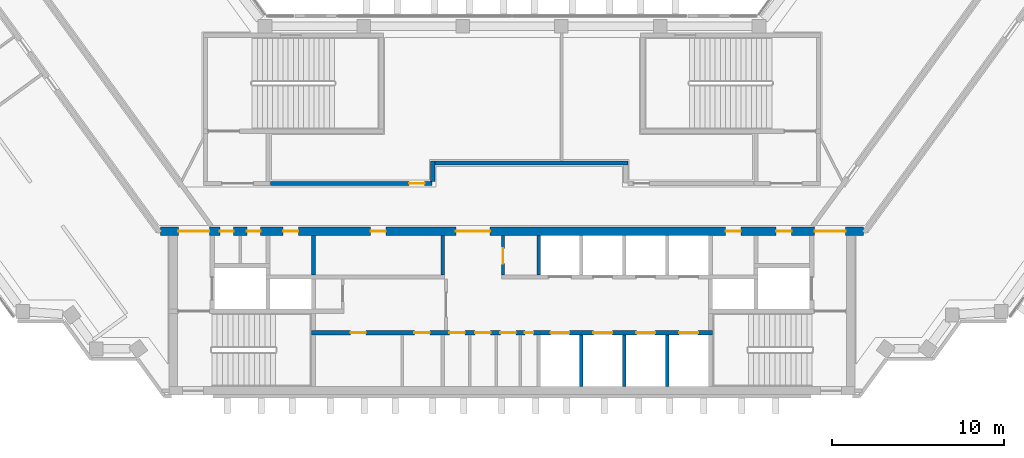
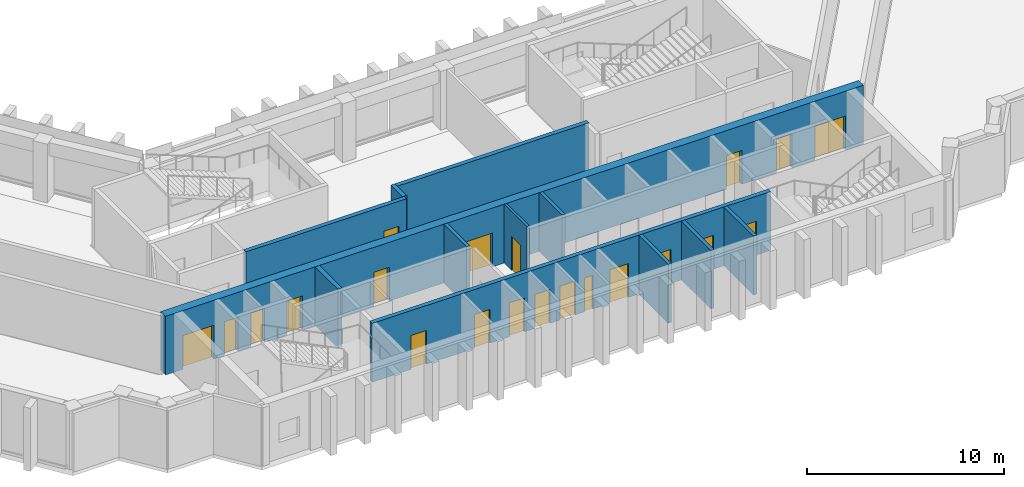
# One storey, part 5 of 10: 21 doors, 12 walls, 21 openings.
"""IFC4 building model written with IfcOpenShell, lengths in metres."""

from ifc_helpers import new_model, si_unit, direction, frame, frame_2d, origin, place, context, subcontext, project, spatial, rectangle, extrude, material, layer, layer_set, type_object, element, fill, save


model = new_model("IFC4")

# Units and contexts
model_context = context("Model", 3, precision=1e-05, world=origin(), true_north=direction((0.0, 1.0)))
body_context = subcontext(model_context, "Body", "Model", "MODEL_VIEW")
ifc_project = project(units=[si_unit("LENGTHUNIT", "METRE"), si_unit("AREAUNIT", "SQUARE_METRE"), si_unit("VOLUMEUNIT", "CUBIC_METRE"), si_unit("PLANEANGLEUNIT", "RADIAN"), si_unit("MASSUNIT", "GRAM", prefix="KILO")], contexts=[model_context])

# Site, building, storey
site_placement = place(None, origin())
site = spatial("IfcSite", under=ifc_project, at=site_placement, CompositionType="ELEMENT")
building_placement = place(site_placement, origin())
building = spatial("IfcBuilding", under=site, at=building_placement, Name="Quipu Civic Tower", CompositionType="ELEMENT")
storey_placement = place(building_placement, frame((0.0, 0.0, 168.0)))
storey = spatial("IfcBuildingStorey", under=building, at=storey_placement, Name="L39", CompositionType="ELEMENT", Elevation=168.0)

# Wall, openings, doors
ifc_material_1 = material(Name="Concrete C70/85", Category="concrete")
ifc_layer_1 = layer(ifc_material_1, 0.25)
ifc_layer_set_1 = layer_set([ifc_layer_1], Name="Concrete C70/85")
wall_type_1 = type_object("IfcWallType", Name="Core wall 250", PredefinedType="SHEAR", material=ifc_layer_set_1)
wall_1_placement = place(storey_placement, frame((11.699951171875, -7.375, 0.0), z_axis=(0.0, 0.0, 1.0), x_axis=(-1.0, 0.0, 0.0)))
wall_1 = element("IfcWall", 1, at=wall_1_placement, inside=storey, type_object=wall_type_1, Name="Core wall", PredefinedType="SHEAR", context=body_context, shape_type="SweptSolid", body=[
    extrude(rectangle(XDim=23.39990234375, YDim=0.25, at=frame_2d((11.699951171875, 0.0))), origin(), (0.0, 0.0, 1.0), 3.64990234375),
])
opening_1_placement = place(wall_1_placement, frame((20.212890625, 0.0, 0.0)))
opening_1 = element("IfcOpeningElement", 2, at=opening_1_placement, cuts=wall_1, Name="Opening CD-01", PredefinedType="OPENING", context=body_context, shape_type="SweptSolid", body=[
    extrude(rectangle(XDim=0.89990234375, YDim=2.10009765625, at=frame_2d((0.449951171875, 1.050048828125))), frame((0.0, 0.135009765625, 0.0), z_axis=(0.0, -1.0, 0.0), x_axis=(1.0, 0.0, 0.0)), (0.0, 0.0, 1.0), 0.27001953125),
])
opening_2_placement = place(wall_1_placement, frame((16.488037109375, 0.0, 0.0)))
opening_2 = element("IfcOpeningElement", 3, at=opening_2_placement, cuts=wall_1, Name="Opening CD-02", PredefinedType="OPENING", context=body_context, shape_type="SweptSolid", body=[
    extrude(rectangle(XDim=0.89990234375, YDim=2.10009765625, at=frame_2d((0.449951171875, 1.050048828125))), frame((0.0, 0.135009765625, 0.0), z_axis=(0.0, -1.0, 0.0), x_axis=(1.0, 0.0, 0.0)), (0.0, 0.0, 1.0), 0.27001953125),
])
opening_3_placement = place(wall_1_placement, frame((14.449951171875, 0.0, 0.0)))
opening_3 = element("IfcOpeningElement", 4, at=opening_3_placement, cuts=wall_1, Name="Opening CD-03", PredefinedType="OPENING", context=body_context, shape_type="SweptSolid", body=[
    extrude(rectangle(XDim=0.89990234375, YDim=2.10009765625, at=frame_2d((0.449951171875, 1.050048828125))), frame((0.0, 0.135009765625, 0.0), z_axis=(0.0, -1.0, 0.0), x_axis=(1.0, 0.0, 0.0)), (0.0, 0.0, 1.0), 0.27001953125),
])
opening_4_placement = place(wall_1_placement, frame((12.949951171875, 0.0, 0.0)))
opening_4 = element("IfcOpeningElement", 5, at=opening_4_placement, cuts=wall_1, Name="Opening CD-04", PredefinedType="OPENING", context=body_context, shape_type="SweptSolid", body=[
    extrude(rectangle(XDim=0.89990234375, YDim=2.10009765625, at=frame_2d((0.449951171875, 1.050048828125))), frame((0.0, 0.135009765625, 0.0), z_axis=(0.0, -1.0, 0.0), x_axis=(1.0, 0.0, 0.0)), (0.0, 0.0, 1.0), 0.27001953125),
])
opening_5_placement = place(wall_1_placement, frame((11.47509765625, 0.0, 0.0)))
opening_5 = element("IfcOpeningElement", 6, at=opening_5_placement, cuts=wall_1, Name="Opening CD-05", PredefinedType="OPENING", context=body_context, shape_type="SweptSolid", body=[
    extrude(rectangle(XDim=0.89990234375, YDim=2.10009765625, at=frame_2d((0.449951171875, 1.050048828125))), frame((0.0, 0.135009765625, 0.0), z_axis=(0.0, -1.0, 0.0), x_axis=(1.0, 0.0, 0.0)), (0.0, 0.0, 1.0), 0.27001953125),
])
opening_6_placement = place(wall_1_placement, frame((10.449951171875, 0.0, 0.0)))
opening_6 = element("IfcOpeningElement", 7, at=opening_6_placement, cuts=wall_1, Name="Opening CD-06", PredefinedType="OPENING", context=body_context, shape_type="SweptSolid", body=[
    extrude(rectangle(XDim=0.5, YDim=2.10009765625, at=frame_2d((0.25, 1.050048828125))), frame((0.0, 0.135009765625, 0.0), z_axis=(0.0, -1.0, 0.0), x_axis=(1.0, 0.0, 0.0)), (0.0, 0.0, 1.0), 0.27001953125),
])
opening_7_placement = place(wall_1_placement, frame((8.35009765625, 0.0, 0.0)))
opening_7 = element("IfcOpeningElement", 8, at=opening_7_placement, cuts=wall_1, Name="Opening LD-ML1", PredefinedType="OPENING", context=body_context, shape_type="SweptSolid", body=[
    extrude(rectangle(XDim=1.10009765625, YDim=2.10009765625, at=frame_2d((0.550048828125, 1.050048828125))), frame((0.0, 0.135009765625, 0.0), z_axis=(0.0, -1.0, 0.0), x_axis=(1.0, 0.0, 0.0)), (0.0, 0.0, 1.0), 0.27001953125),
])
opening_8_placement = place(wall_1_placement, frame((5.85009765625, 0.0, 0.0)))
opening_8 = element("IfcOpeningElement", 9, at=opening_8_placement, cuts=wall_1, Name="Opening LD-ML2", PredefinedType="OPENING", context=body_context, shape_type="SweptSolid", body=[
    extrude(rectangle(XDim=1.10009765625, YDim=2.10009765625, at=frame_2d((0.550048828125, 1.050048828125))), frame((0.0, 0.135009765625, 0.0), z_axis=(0.0, -1.0, 0.0), x_axis=(1.0, 0.0, 0.0)), (0.0, 0.0, 1.0), 0.27001953125),
])
opening_9_placement = place(wall_1_placement, frame((3.35009765625, 0.0, 0.0)))
opening_9 = element("IfcOpeningElement", 10, at=opening_9_placement, cuts=wall_1, Name="Opening LD-ML3", PredefinedType="OPENING", context=body_context, shape_type="SweptSolid", body=[
    extrude(rectangle(XDim=1.10009765625, YDim=2.10009765625, at=frame_2d((0.550048828125, 1.050048828125))), frame((0.0, 0.135009765625, 0.0), z_axis=(0.0, -1.0, 0.0), x_axis=(1.0, 0.0, 0.0)), (0.0, 0.0, 1.0), 0.27001953125),
])
opening_10_placement = place(wall_1_placement, frame((0.85009765625, 0.0, 0.0)))
opening_10 = element("IfcOpeningElement", 11, at=opening_10_placement, cuts=wall_1, Name="Opening LD-ML4", PredefinedType="OPENING", context=body_context, shape_type="SweptSolid", body=[
    extrude(rectangle(XDim=1.10009765625, YDim=2.10009765625, at=frame_2d((0.550048828125, 1.050048828125))), frame((0.0, 0.135009765625, 0.0), z_axis=(0.0, -1.0, 0.0), x_axis=(1.0, 0.0, 0.0)), (0.0, 0.0, 1.0), 0.27001953125),
])
ifc_material_2 = material(Name="Fire rated steel door", Category="steel")
door_type_1 = type_object("IfcDoorType", Name="Fire door FD60 500 x 2100", OperationType="NOTDEFINED", PredefinedType="DOOR", material=ifc_material_2)
door_1_placement = place(opening_6_placement, origin())
door_1 = element("IfcDoor", 12, at=door_1_placement, inside=storey, type_object=door_type_1, Name="Door", OperationType="SINGLE_SWING_LEFT", OverallHeight=2.10009765625, OverallWidth=0.5, PredefinedType="DOOR", context=body_context, shape_type="SweptSolid", body=[
    extrude(rectangle(XDim=0.5, YDim=2.10009765625, at=frame_2d((0.25, 1.050048828125))), frame((0.0, 0.02490234375, 0.0), z_axis=(0.0, -1.0, 0.0), x_axis=(1.0, 0.0, 0.0)), (0.0, 0.0, 1.0), 0.050048828125),
])
fill(opening_6, door_1)
ifc_material_3 = material(Name="Fire rated steel door", Category="steel")
door_type_2 = type_object("IfcDoorType", Name="Fire door FD60 900 x 2100", OperationType="NOTDEFINED", PredefinedType="DOOR", material=ifc_material_3)
door_2_placement = place(opening_1_placement, origin())
door_2 = element("IfcDoor", 13, at=door_2_placement, inside=storey, type_object=door_type_2, Name="Door", OperationType="SINGLE_SWING_RIGHT", OverallHeight=2.10009765625, OverallWidth=0.89990234375, PredefinedType="DOOR", context=body_context, shape_type="SweptSolid", body=[
    extrude(rectangle(XDim=0.89990234375, YDim=2.10009765625, at=frame_2d((0.449951171875, 1.050048828125))), frame((0.0, 0.02490234375, 0.0), z_axis=(0.0, -1.0, 0.0), x_axis=(1.0, 0.0, 0.0)), (0.0, 0.0, 1.0), 0.050048828125),
])
fill(opening_1, door_2)
door_3_placement = place(opening_2_placement, origin())
door_3 = element("IfcDoor", 14, at=door_3_placement, inside=storey, type_object=door_type_2, Name="Door", OperationType="SINGLE_SWING_RIGHT", OverallHeight=2.10009765625, OverallWidth=0.89990234375, PredefinedType="DOOR", context=body_context, shape_type="SweptSolid", body=[
    extrude(rectangle(XDim=0.89990234375, YDim=2.10009765625, at=frame_2d((0.449951171875, 1.050048828125))), frame((0.0, 0.02490234375, 0.0), z_axis=(0.0, -1.0, 0.0), x_axis=(1.0, 0.0, 0.0)), (0.0, 0.0, 1.0), 0.050048828125),
])
fill(opening_2, door_3)
door_4_placement = place(opening_3_placement, origin())
door_4 = element("IfcDoor", 15, at=door_4_placement, inside=storey, type_object=door_type_2, Name="WC door", OperationType="SINGLE_SWING_RIGHT", OverallHeight=2.10009765625, OverallWidth=0.89990234375, PredefinedType="DOOR", context=body_context, shape_type="SweptSolid", body=[
    extrude(rectangle(XDim=0.89990234375, YDim=2.10009765625, at=frame_2d((0.449951171875, 1.050048828125))), frame((0.0, 0.02490234375, 0.0), z_axis=(0.0, -1.0, 0.0), x_axis=(1.0, 0.0, 0.0)), (0.0, 0.0, 1.0), 0.050048828125),
])
fill(opening_3, door_4)
door_5_placement = place(opening_4_placement, origin())
door_5 = element("IfcDoor", 16, at=door_5_placement, inside=storey, type_object=door_type_2, Name="WC door", OperationType="SINGLE_SWING_RIGHT", OverallHeight=2.10009765625, OverallWidth=0.89990234375, PredefinedType="DOOR", context=body_context, shape_type="SweptSolid", body=[
    extrude(rectangle(XDim=0.89990234375, YDim=2.10009765625, at=frame_2d((0.449951171875, 1.050048828125))), frame((0.0, 0.02490234375, 0.0), z_axis=(0.0, -1.0, 0.0), x_axis=(1.0, 0.0, 0.0)), (0.0, 0.0, 1.0), 0.050048828125),
])
fill(opening_4, door_5)
door_6_placement = place(opening_5_placement, origin())
door_6 = element("IfcDoor", 17, at=door_6_placement, inside=storey, type_object=door_type_2, Name="WC door", OperationType="SINGLE_SWING_RIGHT", OverallHeight=2.10009765625, OverallWidth=0.89990234375, PredefinedType="DOOR", context=body_context, shape_type="SweptSolid", body=[
    extrude(rectangle(XDim=0.89990234375, YDim=2.10009765625, at=frame_2d((0.449951171875, 1.050048828125))), frame((0.0, 0.02490234375, 0.0), z_axis=(0.0, -1.0, 0.0), x_axis=(1.0, 0.0, 0.0)), (0.0, 0.0, 1.0), 0.050048828125),
])
fill(opening_5, door_6)
ifc_material_4 = material(Name="Stainless steel", Category="steel")
door_type_3 = type_object("IfcDoorType", Name="Lift landing door 1100 x 2100", OperationType="DOUBLE_DOOR_SLIDING", PredefinedType="DOOR", material=ifc_material_4)
door_7_placement = place(opening_7_placement, origin())
door_7 = element("IfcDoor", 18, at=door_7_placement, inside=storey, type_object=door_type_3, Name="Landing door ML1", OperationType="DOUBLE_DOOR_SLIDING", OverallHeight=2.10009765625, OverallWidth=1.10009765625, PredefinedType="DOOR", context=body_context, shape_type="SweptSolid", body=[
    extrude(rectangle(XDim=1.10009765625, YDim=2.10009765625, at=frame_2d((0.550048828125, 1.050048828125))), frame((0.0, 0.02490234375, 0.0), z_axis=(0.0, -1.0, 0.0), x_axis=(1.0, 0.0, 0.0)), (0.0, 0.0, 1.0), 0.050048828125),
])
fill(opening_7, door_7)
door_8_placement = place(opening_8_placement, origin())
door_8 = element("IfcDoor", 19, at=door_8_placement, inside=storey, type_object=door_type_3, Name="Landing door ML2", OperationType="DOUBLE_DOOR_SLIDING", OverallHeight=2.10009765625, OverallWidth=1.10009765625, PredefinedType="DOOR", context=body_context, shape_type="SweptSolid", body=[
    extrude(rectangle(XDim=1.10009765625, YDim=2.10009765625, at=frame_2d((0.550048828125, 1.050048828125))), frame((0.0, 0.02490234375, 0.0), z_axis=(0.0, -1.0, 0.0), x_axis=(1.0, 0.0, 0.0)), (0.0, 0.0, 1.0), 0.050048828125),
])
fill(opening_8, door_8)
door_9_placement = place(opening_9_placement, origin())
door_9 = element("IfcDoor", 20, at=door_9_placement, inside=storey, type_object=door_type_3, Name="Landing door ML3", OperationType="DOUBLE_DOOR_SLIDING", OverallHeight=2.10009765625, OverallWidth=1.10009765625, PredefinedType="DOOR", context=body_context, shape_type="SweptSolid", body=[
    extrude(rectangle(XDim=1.10009765625, YDim=2.10009765625, at=frame_2d((0.550048828125, 1.050048828125))), frame((0.0, 0.02490234375, 0.0), z_axis=(0.0, -1.0, 0.0), x_axis=(1.0, 0.0, 0.0)), (0.0, 0.0, 1.0), 0.050048828125),
])
fill(opening_9, door_9)
door_10_placement = place(opening_10_placement, origin())
door_10 = element("IfcDoor", 21, at=door_10_placement, inside=storey, type_object=door_type_3, Name="Landing door ML4", OperationType="DOUBLE_DOOR_SLIDING", OverallHeight=2.10009765625, OverallWidth=1.10009765625, PredefinedType="DOOR", context=body_context, shape_type="SweptSolid", body=[
    extrude(rectangle(XDim=1.10009765625, YDim=2.10009765625, at=frame_2d((0.550048828125, 1.050048828125))), frame((0.0, 0.02490234375, 0.0), z_axis=(0.0, -1.0, 0.0), x_axis=(1.0, 0.0, 0.0)), (0.0, 0.0, 1.0), 0.050048828125),
])
fill(opening_10, door_10)

# Wall
wall_2_placement = place(storey_placement, frame((-11.574951171875, -4.0, 0.0), z_axis=(0.0, 0.0, 1.0), x_axis=(0.0, 1.0, 0.0)))
element("IfcWall", 22, at=wall_2_placement, inside=storey, type_object=wall_type_1, Name="Core wall", PredefinedType="SHEAR", context=body_context, shape_type="SweptSolid", body=[
    extrude(rectangle(XDim=2.300048828125, YDim=0.25, at=frame_2d((1.14990234375, 0.0))), origin(), (0.0, 0.0, 1.0), 3.64990234375),
])

# Wall, openings, doors
ifc_material_5 = material(Name="Concrete C70/85", Category="concrete")
ifc_layer_2 = layer(ifc_material_5, 0.5)
ifc_layer_set_2 = layer_set([ifc_layer_2], Name="Concrete C70/85")
wall_type_2 = type_object("IfcWallType", Name="Core wall 500", PredefinedType="SHEAR", material=ifc_layer_set_2)
wall_3_placement = place(storey_placement, frame((20.489990234375, -1.449951171875, 0.0), z_axis=(0.0, 0.0, 1.0), x_axis=(-1.0, 0.0, 0.0)))
wall_3 = element("IfcWall", 23, at=wall_3_placement, inside=storey, type_object=wall_type_2, Name="Core wall", PredefinedType="SHEAR", context=body_context, shape_type="SweptSolid", body=[
    extrude(rectangle(XDim=40.97998046875, YDim=0.5, at=frame_2d((20.489990234375, 0.0))), origin(), (0.0, 0.0, 1.0), 3.64990234375),
])
opening_11_placement = place(wall_3_placement, frame((38.139892578125, 0.0, 0.0)))
opening_11 = element("IfcOpeningElement", 24, at=opening_11_placement, cuts=wall_3, Name="Opening CD-12", PredefinedType="OPENING", context=body_context, shape_type="SweptSolid", body=[
    extrude(rectangle(XDim=1.800048828125, YDim=2.10009765625, at=frame_2d((0.89990234375, 1.050048828125))), frame((0.0, 0.260009765625, 0.0), z_axis=(0.0, -1.0, 0.0), x_axis=(1.0, 0.0, 0.0)), (0.0, 0.0, 1.0), 0.52001953125),
])
opening_12_placement = place(wall_3_placement, frame((36.7275390625, 0.0, 0.0)))
opening_12 = element("IfcOpeningElement", 25, at=opening_12_placement, cuts=wall_3, Name="Opening CD-13", PredefinedType="OPENING", context=body_context, shape_type="SweptSolid", body=[
    extrude(rectangle(XDim=0.800048828125, YDim=2.10009765625, at=frame_2d((0.39990234375, 1.050048828125))), frame((0.0, 0.260009765625, 0.0), z_axis=(0.0, -1.0, 0.0), x_axis=(1.0, 0.0, 0.0)), (0.0, 0.0, 1.0), 0.52001953125),
])
opening_13_placement = place(wall_3_placement, frame((35.152587890625, 0.0, 0.0)))
opening_13 = element("IfcOpeningElement", 26, at=opening_13_placement, cuts=wall_3, Name="Opening CD-14", PredefinedType="OPENING", context=body_context, shape_type="SweptSolid", body=[
    extrude(rectangle(XDim=0.800048828125, YDim=2.10009765625, at=frame_2d((0.39990234375, 1.050048828125))), frame((0.0, 0.260009765625, 0.0), z_axis=(0.0, -1.0, 0.0), x_axis=(1.0, 0.0, 0.0)), (0.0, 0.0, 1.0), 0.52001953125),
])
opening_14_placement = place(wall_3_placement, frame((32.93994140625, 0.0, 0.0)))
opening_14 = element("IfcOpeningElement", 27, at=opening_14_placement, cuts=wall_3, Name="Opening CD-15", PredefinedType="OPENING", context=body_context, shape_type="SweptSolid", body=[
    extrude(rectangle(XDim=0.89990234375, YDim=2.10009765625, at=frame_2d((0.449951171875, 1.050048828125))), frame((0.0, 0.260009765625, 0.0), z_axis=(0.0, -1.0, 0.0), x_axis=(1.0, 0.0, 0.0)), (0.0, 0.0, 1.0), 0.52001953125),
])
opening_15_placement = place(wall_3_placement, frame((27.840087890625, 0.0, 0.0)))
opening_15 = element("IfcOpeningElement", 28, at=opening_15_placement, cuts=wall_3, Name="Opening CD-16", PredefinedType="OPENING", context=body_context, shape_type="SweptSolid", body=[
    extrude(rectangle(XDim=0.89990234375, YDim=2.10009765625, at=frame_2d((0.449951171875, 1.050048828125))), frame((0.0, 0.260009765625, 0.0), z_axis=(0.0, -1.0, 0.0), x_axis=(1.0, 0.0, 0.0)), (0.0, 0.0, 1.0), 0.52001953125),
])
opening_16_placement = place(wall_3_placement, frame((21.764892578125, 0.0, 0.0)))
opening_16 = element("IfcOpeningElement", 29, at=opening_16_placement, cuts=wall_3, Name="Opening CD-17", PredefinedType="OPENING", context=body_context, shape_type="SweptSolid", body=[
    extrude(rectangle(XDim=2.0, YDim=2.10009765625, at=frame_2d((1.0, 1.050048828125))), frame((0.0, 0.260009765625, 0.0), z_axis=(0.0, -1.0, 0.0), x_axis=(1.0, 0.0, 0.0)), (0.0, 0.0, 1.0), 0.52001953125),
])
opening_17_placement = place(wall_3_placement, frame((7.139892578125, 0.0, 0.0)))
opening_17 = element("IfcOpeningElement", 30, at=opening_17_placement, cuts=wall_3, Name="Opening CD-18", PredefinedType="OPENING", context=body_context, shape_type="SweptSolid", body=[
    extrude(rectangle(XDim=0.89990234375, YDim=2.10009765625, at=frame_2d((0.449951171875, 1.050048828125))), frame((0.0, 0.260009765625, 0.0), z_axis=(0.0, -1.0, 0.0), x_axis=(1.0, 0.0, 0.0)), (0.0, 0.0, 1.0), 0.52001953125),
])
opening_18_placement = place(wall_3_placement, frame((4.18994140625, 0.0, 0.0)))
opening_18 = element("IfcOpeningElement", 31, at=opening_18_placement, cuts=wall_3, Name="Opening CD-19", PredefinedType="OPENING", context=body_context, shape_type="SweptSolid", body=[
    extrude(rectangle(XDim=0.89990234375, YDim=2.10009765625, at=frame_2d((0.449951171875, 1.050048828125))), frame((0.0, 0.260009765625, 0.0), z_axis=(0.0, -1.0, 0.0), x_axis=(1.0, 0.0, 0.0)), (0.0, 0.0, 1.0), 0.52001953125),
])
opening_19_placement = place(wall_3_placement, frame((1.0400390625, 0.0, 0.0)))
opening_19 = element("IfcOpeningElement", 32, at=opening_19_placement, cuts=wall_3, Name="Opening CD-20", PredefinedType="OPENING", context=body_context, shape_type="SweptSolid", body=[
    extrude(rectangle(XDim=1.800048828125, YDim=2.10009765625, at=frame_2d((0.89990234375, 1.050048828125))), frame((0.0, 0.260009765625, 0.0), z_axis=(0.0, -1.0, 0.0), x_axis=(1.0, 0.0, 0.0)), (0.0, 0.0, 1.0), 0.52001953125),
])
ifc_material_6 = material(Name="Fire rated steel door", Category="steel")
door_type_4 = type_object("IfcDoorType", Name="Fire door FD60 800 x 2100", OperationType="NOTDEFINED", PredefinedType="DOOR", material=ifc_material_6)
door_11_placement = place(opening_12_placement, origin())
door_11 = element("IfcDoor", 33, at=door_11_placement, inside=storey, type_object=door_type_4, Name="Door", OperationType="SINGLE_SWING_RIGHT", OverallHeight=2.10009765625, OverallWidth=0.800048828125, PredefinedType="DOOR", context=body_context, shape_type="SweptSolid", body=[
    extrude(rectangle(XDim=0.800048828125, YDim=2.10009765625, at=frame_2d((0.39990234375, 1.050048828125))), frame((0.0, 0.02490234375, 0.0), z_axis=(0.0, -1.0, 0.0), x_axis=(1.0, 0.0, 0.0)), (0.0, 0.0, 1.0), 0.050048828125),
])
fill(opening_12, door_11)
door_12_placement = place(opening_13_placement, origin())
door_12 = element("IfcDoor", 34, at=door_12_placement, inside=storey, type_object=door_type_4, Name="Door", OperationType="SINGLE_SWING_RIGHT", OverallHeight=2.10009765625, OverallWidth=0.800048828125, PredefinedType="DOOR", context=body_context, shape_type="SweptSolid", body=[
    extrude(rectangle(XDim=0.800048828125, YDim=2.10009765625, at=frame_2d((0.39990234375, 1.050048828125))), frame((0.0, 0.02490234375, 0.0), z_axis=(0.0, -1.0, 0.0), x_axis=(1.0, 0.0, 0.0)), (0.0, 0.0, 1.0), 0.050048828125),
])
fill(opening_13, door_12)
door_13_placement = place(opening_14_placement, origin())
door_13 = element("IfcDoor", 35, at=door_13_placement, inside=storey, type_object=door_type_2, Name="Riser door", OperationType="SINGLE_SWING_RIGHT", OverallHeight=2.10009765625, OverallWidth=0.89990234375, PredefinedType="DOOR", context=body_context, shape_type="SweptSolid", body=[
    extrude(rectangle(XDim=0.89990234375, YDim=2.10009765625, at=frame_2d((0.449951171875, 1.050048828125))), frame((0.0, 0.02490234375, 0.0), z_axis=(0.0, -1.0, 0.0), x_axis=(1.0, 0.0, 0.0)), (0.0, 0.0, 1.0), 0.050048828125),
])
fill(opening_14, door_13)
door_14_placement = place(opening_15_placement, origin())
door_14 = element("IfcDoor", 36, at=door_14_placement, inside=storey, type_object=door_type_2, Name="Door", OperationType="SINGLE_SWING_RIGHT", OverallHeight=2.10009765625, OverallWidth=0.89990234375, PredefinedType="DOOR", context=body_context, shape_type="SweptSolid", body=[
    extrude(rectangle(XDim=0.89990234375, YDim=2.10009765625, at=frame_2d((0.449951171875, 1.050048828125))), frame((0.0, 0.02490234375, 0.0), z_axis=(0.0, -1.0, 0.0), x_axis=(1.0, 0.0, 0.0)), (0.0, 0.0, 1.0), 0.050048828125),
])
fill(opening_15, door_14)
door_15_placement = place(opening_17_placement, origin())
door_15 = element("IfcDoor", 37, at=door_15_placement, inside=storey, type_object=door_type_2, Name="Riser door", OperationType="SINGLE_SWING_LEFT", OverallHeight=2.10009765625, OverallWidth=0.89990234375, PredefinedType="DOOR", context=body_context, shape_type="SweptSolid", body=[
    extrude(rectangle(XDim=0.89990234375, YDim=2.10009765625, at=frame_2d((0.449951171875, 1.050048828125))), frame((0.0, 0.02490234375, 0.0), z_axis=(0.0, -1.0, 0.0), x_axis=(1.0, 0.0, 0.0)), (0.0, 0.0, 1.0), 0.050048828125),
])
fill(opening_17, door_15)
door_16_placement = place(opening_18_placement, origin())
door_16 = element("IfcDoor", 38, at=door_16_placement, inside=storey, type_object=door_type_2, Name="Door", OperationType="SINGLE_SWING_LEFT", OverallHeight=2.10009765625, OverallWidth=0.89990234375, PredefinedType="DOOR", context=body_context, shape_type="SweptSolid", body=[
    extrude(rectangle(XDim=0.89990234375, YDim=2.10009765625, at=frame_2d((0.449951171875, 1.050048828125))), frame((0.0, 0.02490234375, 0.0), z_axis=(0.0, -1.0, 0.0), x_axis=(1.0, 0.0, 0.0)), (0.0, 0.0, 1.0), 0.050048828125),
])
fill(opening_18, door_16)
ifc_material_7 = material(Name="Fire rated steel door", Category="steel")
door_type_5 = type_object("IfcDoorType", Name="Fire door FD90 double 1800 x 2100", OperationType="NOTDEFINED", PredefinedType="DOOR", material=ifc_material_7)
door_17_placement = place(opening_11_placement, origin())
door_17 = element("IfcDoor", 39, at=door_17_placement, inside=storey, type_object=door_type_5, Name="Lobby door", OperationType="DOUBLE_DOOR_SINGLE_SWING", OverallHeight=2.10009765625, OverallWidth=1.800048828125, PredefinedType="DOOR", context=body_context, shape_type="SweptSolid", body=[
    extrude(rectangle(XDim=1.800048828125, YDim=2.10009765625, at=frame_2d((0.89990234375, 1.050048828125))), frame((0.0, 0.02490234375, 0.0), z_axis=(0.0, -1.0, 0.0), x_axis=(1.0, 0.0, 0.0)), (0.0, 0.0, 1.0), 0.050048828125),
])
fill(opening_11, door_17)
door_18_placement = place(opening_19_placement, origin())
door_18 = element("IfcDoor", 40, at=door_18_placement, inside=storey, type_object=door_type_5, Name="Lobby door", OperationType="DOUBLE_DOOR_SINGLE_SWING", OverallHeight=2.10009765625, OverallWidth=1.800048828125, PredefinedType="DOOR", context=body_context, shape_type="SweptSolid", body=[
    extrude(rectangle(XDim=1.800048828125, YDim=2.10009765625, at=frame_2d((0.89990234375, 1.050048828125))), frame((0.0, 0.02490234375, 0.0), z_axis=(0.0, -1.0, 0.0), x_axis=(1.0, 0.0, 0.0)), (0.0, 0.0, 1.0), 0.050048828125),
])
fill(opening_19, door_18)
ifc_material_8 = material(Name="Fire rated steel door", Category="steel")
door_type_6 = type_object("IfcDoorType", Name="Fire door FD90 double 2000 x 2100", OperationType="NOTDEFINED", PredefinedType="DOOR", material=ifc_material_8)
door_19_placement = place(opening_16_placement, origin())
door_19 = element("IfcDoor", 41, at=door_19_placement, inside=storey, type_object=door_type_6, Name="Lobby door", OperationType="DOUBLE_DOOR_SINGLE_SWING", OverallHeight=2.10009765625, OverallWidth=2.0, PredefinedType="DOOR", context=body_context, shape_type="SweptSolid", body=[
    extrude(rectangle(XDim=2.0, YDim=2.10009765625, at=frame_2d((1.0, 1.050048828125))), frame((0.0, 0.02490234375, 0.0), z_axis=(0.0, -1.0, 0.0), x_axis=(1.0, 0.0, 0.0)), (0.0, 0.0, 1.0), 0.050048828125),
])
fill(opening_16, door_19)

# Wall, opening, door
ifc_material_9 = material(Name="Concrete C50/60", Category="concrete")
ifc_layer_3 = layer(ifc_material_9, 0.25)
ifc_layer_set_3 = layer_set([ifc_layer_3], Name="Concrete C50/60")
wall_type_3 = type_object("IfcWallType", Name="Corridor wall 250 concrete", PredefinedType="SOLIDWALL", material=ifc_layer_set_3)
wall_4_placement = place(storey_placement, frame((-14.090087890625, 1.324951171875, 0.0), z_axis=(0.0, 0.0, 1.0), x_axis=(1.0, 0.0, 0.0)))
wall_4 = element("IfcWall", 42, at=wall_4_placement, inside=storey, type_object=wall_type_3, Name="Corridor wall C07", PredefinedType="SOLIDWALL", context=body_context, shape_type="SweptSolid", body=[
    extrude(rectangle(XDim=9.431396484375, YDim=0.25, at=frame_2d((4.7158203125, 0.0))), origin(), (0.0, 0.0, 1.0), 3.64990234375),
])
opening_20_placement = place(wall_4_placement, frame((8.090087890625, 0.0, 0.0)))
opening_20 = element("IfcOpeningElement", 43, at=opening_20_placement, cuts=wall_4, Name="Opening D007", PredefinedType="OPENING", context=body_context, shape_type="SweptSolid", body=[
    extrude(rectangle(XDim=0.89990234375, YDim=2.10009765625, at=frame_2d((0.449951171875, 1.050048828125))), frame((0.0, 0.135009765625, 0.0), z_axis=(0.0, -1.0, 0.0), x_axis=(1.0, 0.0, 0.0)), (0.0, 0.0, 1.0), 0.27001953125),
])
ifc_material_10 = material(Name="Fire rated timber door set with metal frame", Category="wood")
door_type_7 = type_object("IfcDoorType", Name="Single door 900 x 2100 FD60", OperationType="NOTDEFINED", PredefinedType="DOOR", material=ifc_material_10)
door_20_placement = place(opening_20_placement, origin())
door_20 = element("IfcDoor", 44, at=door_20_placement, inside=storey, type_object=door_type_7, Name="Door D007", OperationType="SINGLE_SWING_RIGHT", OverallHeight=2.10009765625, OverallWidth=0.89990234375, PredefinedType="DOOR", context=body_context, shape_type="SweptSolid", body=[
    extrude(rectangle(XDim=0.89990234375, YDim=2.10009765625, at=frame_2d((0.449951171875, 1.050048828125))), frame((0.0, 0.02490234375, 0.0), z_axis=(0.0, -1.0, 0.0), x_axis=(1.0, 0.0, 0.0)), (0.0, 0.0, 1.0), 0.050048828125),
])
fill(opening_20, door_20)

# Walls
wall_5_placement = place(storey_placement, frame((-4.625, 1.45361328125, 0.0), z_axis=(0.0, 0.0, 1.0), x_axis=(0.0, 1.0, 0.0)))
element("IfcWall", 45, at=wall_5_placement, inside=storey, type_object=wall_type_3, Name="Corridor wall C08", PredefinedType="SOLIDWALL", context=body_context, shape_type="SweptSolid", body=[
    extrude(rectangle(XDim=1.1962890625, YDim=0.25, at=frame_2d((0.59814453125, 0.0))), origin(), (0.0, 0.0, 1.0), 3.64990234375),
])
wall_6_placement = place(storey_placement, frame((-4.5, 2.52490234375, 0.0), z_axis=(0.0, 0.0, 1.0), x_axis=(1.0, 0.0, 0.0)))
element("IfcWall", 46, at=wall_6_placement, inside=storey, type_object=wall_type_3, Name="Corridor wall C09", PredefinedType="SOLIDWALL", context=body_context, shape_type="SweptSolid", body=[
    extrude(rectangle(XDim=11.25, YDim=0.25, at=frame_2d((5.625, 0.0))), origin(), (0.0, 0.0, 1.0), 3.64990234375),
])

# Wall, opening, door
ifc_material_11 = material(Name="Gypsum board partition")
ifc_layer_4 = layer(ifc_material_11, 0.14990234375)
ifc_layer_set_4 = layer_set([ifc_layer_4], Name="Gypsum board partition")
wall_type_4 = type_object("IfcWallType", Name="Partition 150", PredefinedType="PARTITIONING", material=ifc_layer_set_4)
wall_7_placement = place(storey_placement, frame((-0.52490234375, -4.0, 0.0), z_axis=(0.0, 0.0, 1.0), x_axis=(0.0, 1.0, 0.0)))
wall_7 = element("IfcWall", 47, at=wall_7_placement, inside=storey, type_object=wall_type_4, Name="Partition", PredefinedType="PARTITIONING", context=body_context, shape_type="SweptSolid", body=[
    extrude(rectangle(XDim=2.300048828125, YDim=0.14990234375, at=frame_2d((1.14990234375, 0.0))), origin(), (0.0, 0.0, 1.0), 3.64990234375),
])
opening_21_placement = place(wall_7_placement, frame((0.64990234375, 0.0, 0.0)))
opening_21 = element("IfcOpeningElement", 48, at=opening_21_placement, cuts=wall_7, Name="Opening CD-11", PredefinedType="OPENING", context=body_context, shape_type="SweptSolid", body=[
    extrude(rectangle(XDim=0.89990234375, YDim=2.10009765625, at=frame_2d((0.449951171875, 1.050048828125))), frame((0.0, 0.0849609375, 0.0), z_axis=(0.0, -1.0, 0.0), x_axis=(1.0, 0.0, 0.0)), (0.0, 0.0, 1.0), 0.169921875),
])
door_21_placement = place(opening_21_placement, origin())
door_21 = element("IfcDoor", 49, at=door_21_placement, inside=storey, type_object=door_type_2, Name="WC door", OperationType="SINGLE_SWING_LEFT", OverallHeight=2.10009765625, OverallWidth=0.89990234375, PredefinedType="DOOR", context=body_context, shape_type="SweptSolid", body=[
    extrude(rectangle(XDim=0.89990234375, YDim=2.10009765625, at=frame_2d((0.449951171875, 1.050048828125))), frame((0.0, 0.02490234375, 0.0), z_axis=(0.0, -1.0, 0.0), x_axis=(1.0, 0.0, 0.0)), (0.0, 0.0, 1.0), 0.050048828125),
])
fill(opening_21, door_21)

# Walls
ifc_material_12 = material(Name="Concrete C40/50", Category="concrete")
ifc_layer_5 = layer(ifc_material_12, 0.199951171875)
ifc_layer_set_5 = layer_set([ifc_layer_5], Name="Concrete C40/50")
wall_type_5 = type_object("IfcWallType", Name="Shaft wall 200", PredefinedType="SOLIDWALL", material=ifc_layer_set_5)
for number, where, z_axis, x_axis, name in (
    (50, (4.050048828125, -10.5, 0.0), (0.0, 0.0, 1.0), (0.0, 1.0, 0.0), "Shaft wall"),
    (51, (6.550048828125, -10.5, 0.0), (0.0, 0.0, 1.0), (0.0, 1.0, 0.0), "Shaft wall"),
    (52, (9.050048828125, -10.5, 0.0), (0.0, 0.0, 1.0), (0.0, 1.0, 0.0), "Shaft wall"),
):
    element("IfcWall", number, at=place(storey_placement, frame(where, z_axis=z_axis, x_axis=x_axis)), inside=storey, type_object=wall_type_5, Name=name, PredefinedType="SOLIDWALL", context=body_context, shape_type="SweptSolid", body=[
        extrude(rectangle(XDim=3.0, YDim=0.199951171875, at=frame_2d((1.5, 0.0))), origin(), (0.0, 0.0, 1.0), 3.64990234375),
    ])
for number, where, z_axis, x_axis, name in (
    (53, (-4.050048828125, -4.0, 0.0), (0.0, 0.0, 1.0), (0.0, 1.0, 0.0), "Shaft wall"),
    (54, (1.550048828125, -4.0, 0.0), (0.0, 0.0, 1.0), (0.0, 1.0, 0.0), "Shaft wall"),
):
    element("IfcWall", number, at=place(storey_placement, frame(where, z_axis=z_axis, x_axis=x_axis)), inside=storey, type_object=wall_type_5, Name=name, PredefinedType="SOLIDWALL", context=body_context, shape_type="SweptSolid", body=[
        extrude(rectangle(XDim=2.300048828125, YDim=0.199951171875, at=frame_2d((1.14990234375, 0.0))), origin(), (0.0, 0.0, 1.0), 3.64990234375),
    ])

save(model, "model.ifc")
